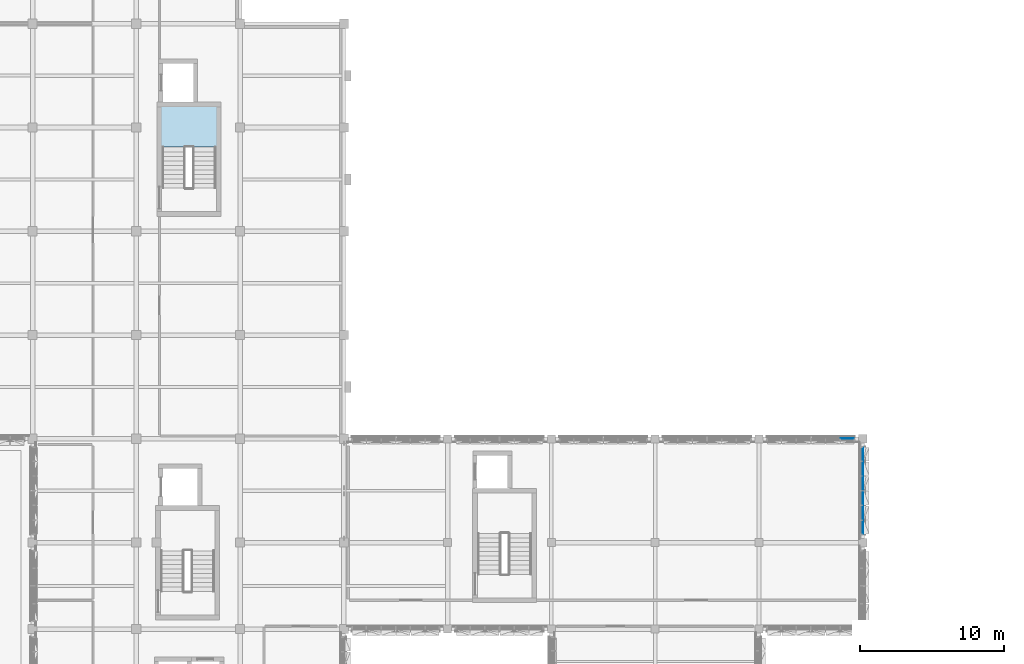
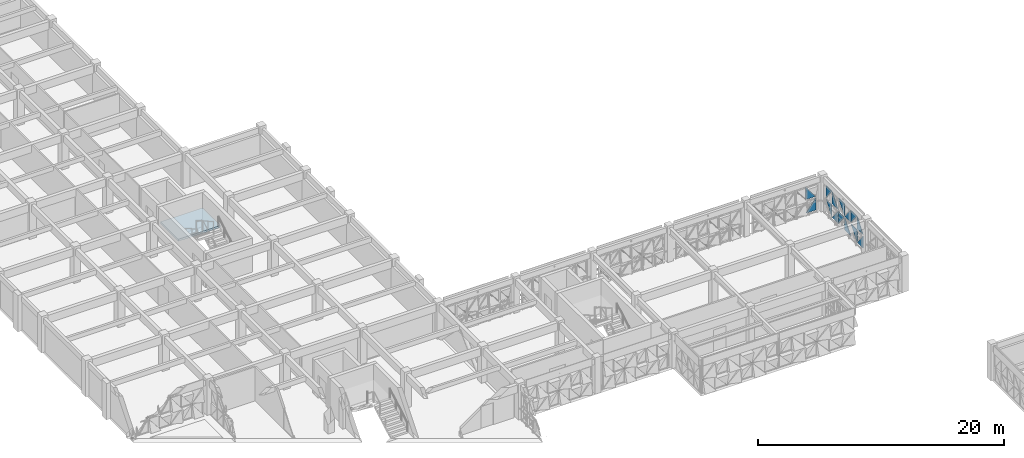
# One storey, part 40 of 85: 14 plates, 1 slab, 3 elements without a shape of their own.
"""IFC4 building model written with IfcOpenShell, lengths in metres."""

from ifc_helpers import new_model, si_unit, direction, frame, origin, place, context, subcontext, project, spatial, polyline, outline, extrude, material, layer, layer_set, type_object, element, aggregate, save


model = new_model("IFC4")

# Units and contexts
model_context = context("Model", 3, precision=1e-05, world=origin(), true_north=direction((0.0, 1.0)))
body_context = subcontext(model_context, "Body", "Model", "MODEL_VIEW")
ifc_project = project(units=[si_unit("LENGTHUNIT", "METRE"), si_unit("AREAUNIT", "SQUARE_METRE"), si_unit("VOLUMEUNIT", "CUBIC_METRE"), si_unit("PLANEANGLEUNIT", "RADIAN"), si_unit("MASSUNIT", "GRAM", prefix="KILO")], contexts=[model_context])

# Site, building, storey
site_placement = place(None, origin())
site = spatial("IfcSite", under=ifc_project, at=site_placement, CompositionType="ELEMENT")
building_placement = place(site_placement, origin())
building = spatial("IfcBuilding", under=site, at=building_placement, Name="Alvorim Cloister Faculty of Sciences", CompositionType="ELEMENT")
storey_placement = place(building_placement, frame((0.0, 0.0, 8.550048828125)))
storey = spatial("IfcBuildingStorey", under=building, at=storey_placement, Name="L02", CompositionType="ELEMENT", Elevation=8.550048828125)

# Curtain wall, plates
ifc_material_1 = material(Name="Aluminium and Low-E Glass Curtain Wall", Category="aluminium")
curtain_wall_type = type_object("IfcCurtainWallType", Name="CW-TRI-6120x2850", PredefinedType="USERDEFINED", material=ifc_material_1)
curtain_wall_1_placement = place(storey_placement, origin())
curtain_wall_1 = element("IfcCurtainWall", 1, at=curtain_wall_1_placement, inside=storey, type_object=curtain_wall_type, Name="L02 Diagonal Cassette Curtain Wall CW-0060", ObjectType="UNITISED CURTAIN WALL", PredefinedType="USERDEFINED")
ifc_material_2 = material(Name="Double Low-E Laminated Glass", Category="glass")
ifc_layer_1 = layer(ifc_material_2, 0.0400390625)
ifc_layer_set_1 = layer_set([ifc_layer_1], Name="Double Low-E Laminated Glass")
plate_type = type_object("IfcPlateType", Name="PN-GLZ-40", PredefinedType="CURTAIN_PANEL", material=ifc_layer_set_1)
plate_1_placement = place(storey_placement, frame((63.2724609375, 56.425048828125, 0.139892578125), z_axis=(0.0, 0.0, 1.0), x_axis=(1.0, 0.0, 0.0)))
plate_1 = element("IfcPlate", 2, at=plate_1_placement, type_object=plate_type, Name="Diagonal Glazed Triangle TRI-BR", PredefinedType="CURTAIN_PANEL", context=body_context, shape_type="SweptSolid", body=[
    extrude(outline(polyline([(0.001953125, 0.0), (0.922607421875, 0.0), (0.922607421875, 1.213134765625), (0.001953125, 0.0)])), frame((0.0, 0.02490234375, 0.0), z_axis=(0.0, -1.0, 0.0), x_axis=(1.0, 0.0, 0.0)), (0.0, 0.0, 1.0), 0.050048828125),
])
plate_2_placement = place(storey_placement, frame((63.2724609375, 56.425048828125, 1.494873046875), z_axis=(0.0, 0.0, 1.0), x_axis=(1.0, 0.0, 0.0)))
plate_2 = element("IfcPlate", 3, at=plate_2_placement, type_object=plate_type, Name="Diagonal Glazed Triangle TRI-BL", PredefinedType="CURTAIN_PANEL", context=body_context, shape_type="SweptSolid", body=[
    extrude(outline(polyline([(0.0, 0.0), (0.920654296875, 0.0), (0.0, 1.213134765625), (0.0, 0.0)])), frame((0.0, 0.02490234375, 0.0), z_axis=(0.0, -1.0, 0.0), x_axis=(1.0, 0.0, 0.0)), (0.0, 0.0, 1.0), 0.050048828125),
])
aggregate(curtain_wall_1, [plate_1, plate_2])

curtain_wall_2_placement = place(storey_placement, origin())
curtain_wall_2 = element("IfcCurtainWall", 4, at=curtain_wall_2_placement, inside=storey, type_object=curtain_wall_type, Name="L02 Diagonal Cassette Curtain Wall CW-0061", ObjectType="UNITISED CURTAIN WALL", PredefinedType="USERDEFINED")
plate_3_placement = place(storey_placement, frame((64.824951171875, 49.804931640625, 0.139892578125), z_axis=(0.0, 0.0, 1.0), x_axis=(0.0, 1.0, 0.0)))
plate_3 = element("IfcPlate", 5, at=plate_3_placement, type_object=plate_type, Name="Diagonal Glazed Triangle TRI-BL", PredefinedType="CURTAIN_PANEL", context=body_context, shape_type="SweptSolid", body=[
    extrude(outline(polyline([(0.0, 0.0), (0.920654296875, 0.0), (0.0, 1.213134765625), (0.0, 0.0)])), frame((0.0, 0.02490234375, 0.0), z_axis=(0.0, -1.0, 0.0), x_axis=(1.0, 0.0, 0.0)), (0.0, 0.0, 1.0), 0.050048828125),
])
plate_4_placement = place(storey_placement, frame((64.824951171875, 49.804931640625, 1.494873046875), z_axis=(0.0, 0.0, 1.0), x_axis=(0.0, 1.0, 0.0)))
plate_4 = element("IfcPlate", 6, at=plate_4_placement, type_object=plate_type, Name="Diagonal Glazed Triangle TRI-BR", PredefinedType="CURTAIN_PANEL", context=body_context, shape_type="SweptSolid", body=[
    extrude(outline(polyline([(0.001953125, 0.0), (0.922607421875, 0.0), (0.922607421875, 1.213134765625), (0.001953125, 0.0)])), frame((0.0, 0.02490234375, 0.0), z_axis=(0.0, -1.0, 0.0), x_axis=(1.0, 0.0, 0.0)), (0.0, 0.0, 1.0), 0.050048828125),
])
plate_5_placement = place(storey_placement, frame((64.824951171875, 50.79248046875, 0.139892578125), z_axis=(0.0, 0.0, 1.0), x_axis=(0.0, 1.0, 0.0)))
plate_5 = element("IfcPlate", 7, at=plate_5_placement, type_object=plate_type, Name="Diagonal Glazed Triangle TRI-TL", PredefinedType="CURTAIN_PANEL", context=body_context, shape_type="SweptSolid", body=[
    extrude(outline(polyline([(0.953125, 1.215087890625), (0.0, 1.215087890625), (0.0, 0.001953125), (0.953125, 1.215087890625)])), frame((0.0, 0.02490234375, 0.0), z_axis=(0.0, -1.0, 0.0), x_axis=(1.0, 0.0, 0.0)), (0.0, 0.0, 1.0), 0.050048828125),
])
plate_6_placement = place(storey_placement, frame((64.824951171875, 50.79248046875, 1.494873046875), z_axis=(0.0, 0.0, 1.0), x_axis=(0.0, 1.0, 0.0)))
plate_6 = element("IfcPlate", 8, at=plate_6_placement, type_object=plate_type, Name="Diagonal Glazed Triangle TRI-TR", PredefinedType="CURTAIN_PANEL", context=body_context, shape_type="SweptSolid", body=[
    extrude(outline(polyline([(0.955078125, 0.001953125), (0.955078125, 1.215087890625), (0.001953125, 1.215087890625), (0.955078125, 0.001953125)])), frame((0.0, 0.02490234375, 0.0), z_axis=(0.0, -1.0, 0.0), x_axis=(1.0, 0.0, 0.0)), (0.0, 0.0, 1.0), 0.050048828125),
])
plate_7_placement = place(storey_placement, frame((64.824951171875, 51.8125, 0.139892578125), z_axis=(0.0, 0.0, 1.0), x_axis=(0.0, 1.0, 0.0)))
plate_7 = element("IfcPlate", 9, at=plate_7_placement, type_object=plate_type, Name="Diagonal Glazed Triangle TRI-BR", PredefinedType="CURTAIN_PANEL", context=body_context, shape_type="SweptSolid", body=[
    extrude(outline(polyline([(0.001953125, 0.0), (0.955078125, 0.0), (0.955078125, 1.213134765625), (0.001953125, 0.0)])), frame((0.0, 0.02490234375, 0.0), z_axis=(0.0, -1.0, 0.0), x_axis=(1.0, 0.0, 0.0)), (0.0, 0.0, 1.0), 0.050048828125),
])
plate_8_placement = place(storey_placement, frame((64.824951171875, 51.8125, 1.494873046875), z_axis=(0.0, 0.0, 1.0), x_axis=(0.0, 1.0, 0.0)))
plate_8 = element("IfcPlate", 10, at=plate_8_placement, type_object=plate_type, Name="Diagonal Glazed Triangle TRI-BL", PredefinedType="CURTAIN_PANEL", context=body_context, shape_type="SweptSolid", body=[
    extrude(outline(polyline([(0.0, 0.0), (0.953125, 0.0), (0.0, 1.213134765625), (0.0, 0.0)])), frame((0.0, 0.02490234375, 0.0), z_axis=(0.0, -1.0, 0.0), x_axis=(1.0, 0.0, 0.0)), (0.0, 0.0, 1.0), 0.050048828125),
])
plate_9_placement = place(storey_placement, frame((64.824951171875, 52.83251953125, 0.139892578125), z_axis=(0.0, 0.0, 1.0), x_axis=(0.0, 1.0, 0.0)))
plate_9 = element("IfcPlate", 11, at=plate_9_placement, type_object=plate_type, Name="Diagonal Glazed Triangle TRI-TR", PredefinedType="CURTAIN_PANEL", context=body_context, shape_type="SweptSolid", body=[
    extrude(outline(polyline([(0.955078125, 0.001953125), (0.955078125, 1.215087890625), (0.001953125, 1.215087890625), (0.955078125, 0.001953125)])), frame((0.0, 0.02490234375, 0.0), z_axis=(0.0, -1.0, 0.0), x_axis=(1.0, 0.0, 0.0)), (0.0, 0.0, 1.0), 0.050048828125),
])
plate_10_placement = place(storey_placement, frame((64.824951171875, 52.83251953125, 1.494873046875), z_axis=(0.0, 0.0, 1.0), x_axis=(0.0, 1.0, 0.0)))
plate_10 = element("IfcPlate", 12, at=plate_10_placement, type_object=plate_type, Name="Diagonal Glazed Triangle TRI-TL", PredefinedType="CURTAIN_PANEL", context=body_context, shape_type="SweptSolid", body=[
    extrude(outline(polyline([(0.953125, 1.215087890625), (0.0, 1.215087890625), (0.0, 0.001953125), (0.953125, 1.215087890625)])), frame((0.0, 0.02490234375, 0.0), z_axis=(0.0, -1.0, 0.0), x_axis=(1.0, 0.0, 0.0)), (0.0, 0.0, 1.0), 0.050048828125),
])
plate_11_placement = place(storey_placement, frame((64.824951171875, 53.8525390625, 0.139892578125), z_axis=(0.0, 0.0, 1.0), x_axis=(0.0, 1.0, 0.0)))
plate_11 = element("IfcPlate", 13, at=plate_11_placement, type_object=plate_type, Name="Diagonal Glazed Triangle TRI-BL", PredefinedType="CURTAIN_PANEL", context=body_context, shape_type="SweptSolid", body=[
    extrude(outline(polyline([(0.0, 0.0), (0.953125, 0.0), (0.0, 1.213134765625), (0.0, 0.0)])), frame((0.0, 0.02490234375, 0.0), z_axis=(0.0, -1.0, 0.0), x_axis=(1.0, 0.0, 0.0)), (0.0, 0.0, 1.0), 0.050048828125),
])
plate_12_placement = place(storey_placement, frame((64.824951171875, 53.8525390625, 1.494873046875), z_axis=(0.0, 0.0, 1.0), x_axis=(0.0, 1.0, 0.0)))
plate_12 = element("IfcPlate", 14, at=plate_12_placement, type_object=plate_type, Name="Diagonal Glazed Triangle TRI-BR", PredefinedType="CURTAIN_PANEL", context=body_context, shape_type="SweptSolid", body=[
    extrude(outline(polyline([(0.001953125, 0.0), (0.955078125, 0.0), (0.955078125, 1.213134765625), (0.001953125, 0.0)])), frame((0.0, 0.02490234375, 0.0), z_axis=(0.0, -1.0, 0.0), x_axis=(1.0, 0.0, 0.0)), (0.0, 0.0, 1.0), 0.050048828125),
])
plate_13_placement = place(storey_placement, frame((64.824951171875, 54.87255859375, 0.139892578125), z_axis=(0.0, 0.0, 1.0), x_axis=(0.0, 1.0, 0.0)))
plate_13 = element("IfcPlate", 15, at=plate_13_placement, type_object=plate_type, Name="Diagonal Glazed Triangle TRI-TL", PredefinedType="CURTAIN_PANEL", context=body_context, shape_type="SweptSolid", body=[
    extrude(outline(polyline([(0.920654296875, 1.215087890625), (0.0, 1.215087890625), (0.0, 0.001953125), (0.920654296875, 1.215087890625)])), frame((0.0, 0.02490234375, 0.0), z_axis=(0.0, -1.0, 0.0), x_axis=(1.0, 0.0, 0.0)), (0.0, 0.0, 1.0), 0.050048828125),
])
plate_14_placement = place(storey_placement, frame((64.824951171875, 54.87255859375, 1.494873046875), z_axis=(0.0, 0.0, 1.0), x_axis=(0.0, 1.0, 0.0)))
plate_14 = element("IfcPlate", 16, at=plate_14_placement, type_object=plate_type, Name="Diagonal Glazed Triangle TRI-TR", PredefinedType="CURTAIN_PANEL", context=body_context, shape_type="SweptSolid", body=[
    extrude(outline(polyline([(0.922607421875, 0.001953125), (0.922607421875, 1.215087890625), (0.001953125, 1.215087890625), (0.922607421875, 0.001953125)])), frame((0.0, 0.02490234375, 0.0), z_axis=(0.0, -1.0, 0.0), x_axis=(1.0, 0.0, 0.0)), (0.0, 0.0, 1.0), 0.050048828125),
])
aggregate(curtain_wall_2, [plate_3, plate_4, plate_5, plate_6, plate_7, plate_8, plate_9, plate_10, plate_11, plate_12, plate_13, plate_14])

# Stair, slab
ifc_material_3 = material(Name="Concrete C40", Category="concrete")
stair_type = type_object("IfcStairType", Name="STR-ST-05-1600x3600", PredefinedType="HALF_TURN_STAIR", material=ifc_material_3)
stair_placement = place(storey_placement, origin())
stair = element("IfcStair", 17, at=stair_placement, inside=storey, type_object=stair_type, Name="L02 Enclosed Smoke-Proof Stair ST-05", PredefinedType="HALF_TURN_STAIR")
ifc_layer_2 = layer(ifc_material_3, 0.199951171875)
ifc_layer_set_2 = layer_set([ifc_layer_2], Name="Concrete C40")
slab_type = type_object("IfcSlabType", Name="SL-LAND-200", PredefinedType="LANDING", material=ifc_layer_set_2)
slab_placement = place(storey_placement, frame((0.0, 0.0, 1.599853515625)))
slab = element("IfcSlab", 18, at=slab_placement, type_object=slab_type, Name="ST-05 landing 1", PredefinedType="LANDING", context=body_context, shape_type="SweptSolid", body=[
    extrude(outline(polyline([(20.0400390625, 76.635009765625), (20.0400390625, 79.52001953125), (16.080078125, 79.52001953125), (16.080078125, 76.635009765625), (20.0400390625, 76.635009765625)])), origin(), (0.0, 0.0, 1.0), 0.2001953125),
])
aggregate(stair, [slab])

save(model, "model.ifc")
